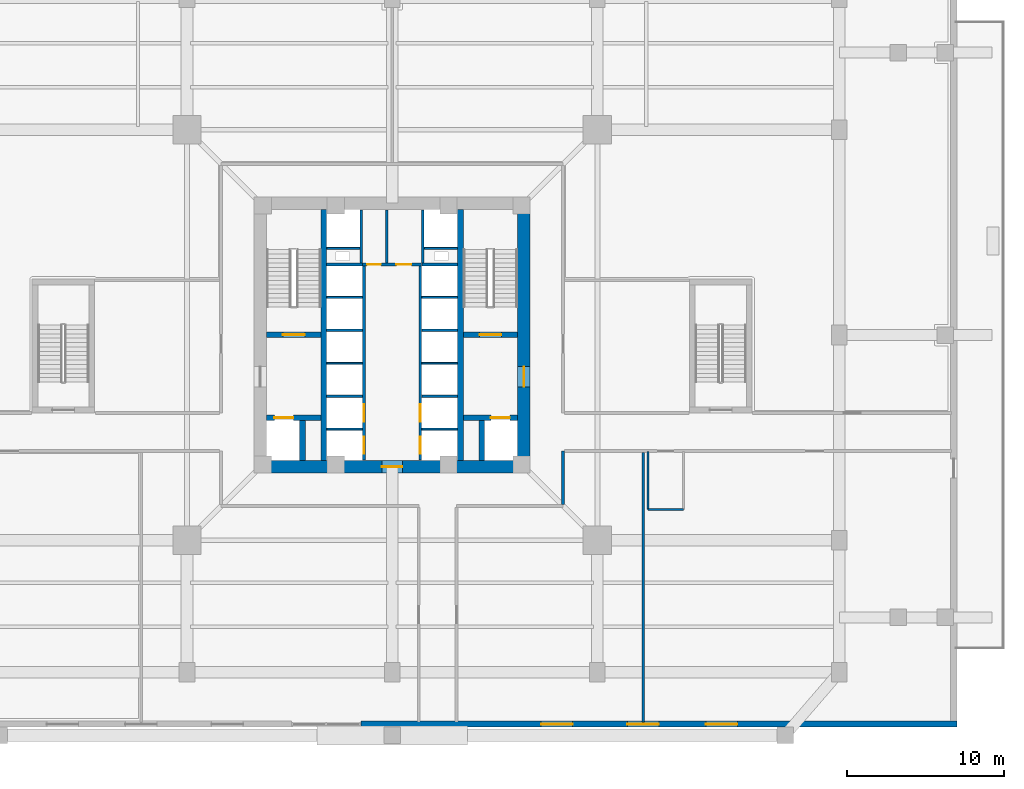
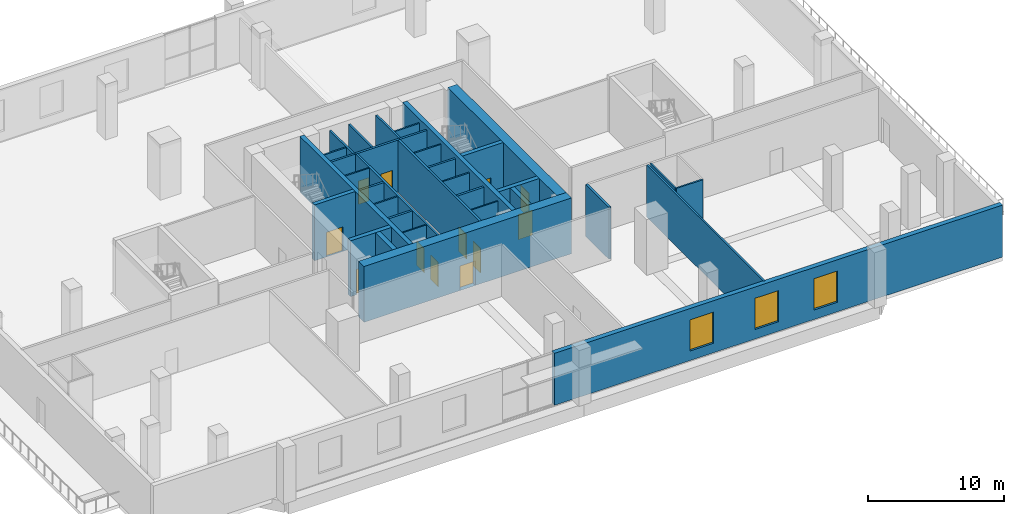
# One storey, part 7 of 15: 35 walls, 12 doors, 3 windows, 15 openings.
"""IFC4 building model written with IfcOpenShell, lengths in metres."""

from ifc_helpers import new_model, si_unit, direction, frame, frame_2d, origin, place, context, subcontext, project, spatial, rectangle, extrude, source, transform, mapped, material, layer, layer_set, type_object, element, fill, save


model = new_model("IFC4")

# Units and contexts
model_context = context("Model", 3, precision=1e-05, world=origin(), true_north=direction((0.0, 1.0)))
body_context = subcontext(model_context, "Body", "Model", "MODEL_VIEW")
ifc_project = project(units=[si_unit("LENGTHUNIT", "METRE"), si_unit("AREAUNIT", "SQUARE_METRE"), si_unit("VOLUMEUNIT", "CUBIC_METRE"), si_unit("PLANEANGLEUNIT", "RADIAN"), si_unit("MASSUNIT", "GRAM", prefix="KILO"), si_unit("THERMODYNAMICTEMPERATUREUNIT", "KELVIN")], contexts=[model_context])

# Site, building, storey
site_placement = place(None, origin())
site = spatial("IfcSite", under=ifc_project, at=site_placement, CompositionType="ELEMENT")
building_placement = place(site_placement, origin())
building = spatial("IfcBuilding", under=site, at=building_placement, Name="Kosmvard Interchange Tower", CompositionType="ELEMENT")
storey_placement = place(building_placement, frame((0.0, 0.0, 11.0)))
storey = spatial("IfcBuildingStorey", under=building, at=storey_placement, Name="L02", CompositionType="ELEMENT", Elevation=11.0)

# Walls
ifc_material_1 = material(Name="Acoustic gypsum partition system")
ifc_layer_1 = layer(ifc_material_1, 0.14990234375, Name="Acoustic gypsum partition system")
ifc_layer_set_1 = layer_set([ifc_layer_1], Name="Acoustic gypsum partition system")
wall_type_1 = type_object("IfcWallType", Name="Acoustic Suite & Meeting Partition 150", PredefinedType="PARTITIONING", material=ifc_layer_set_1)
wall_1_placement = place(storey_placement, frame((16.0, -24.6650390625, 0.0), z_axis=(0.0, 0.0, 1.0), x_axis=(0.0, 1.0, 0.0)))
element("IfcWall", 1, at=wall_1_placement, inside=storey, type_object=wall_type_1, Name="L02 Room Partition 05.1", PredefinedType="PARTITIONING", context=body_context, shape_type="SweptSolid", body=[
    extrude(rectangle(XDim=17.169921875, YDim=0.14990234375, at=frame_2d((8.5849609375, 0.0))), origin(), (0.0, 0.0, 1.0), 4.659912109375),
])
ifc_material_2 = material(Name="Fire-rated gypsum partition system")
ifc_layer_2 = layer(ifc_material_2, 0.159912109375, Name="Fire-rated gypsum partition system")
ifc_layer_set_2 = layer_set([ifc_layer_2], Name="Fire-rated gypsum partition system")
wall_type_2 = type_object("IfcWallType", Name="Core Compartment & Shuttle Lobby Partition 160", PredefinedType="PARTITIONING", material=ifc_layer_set_2)
for number, where, z_axis, x_axis, name in (
    (2, (-1.9599609375, 4.580078125, 0.0), (0.0, 0.0, 1.0), (0.0, 1.0, 0.0), "L02 North Core West Wall"),
    (3, (1.9599609375, 4.580078125, 0.0), (0.0, 0.0, 1.0), (0.0, 1.0, 0.0), "L02 North Core East Wall"),
):
    element("IfcWall", number, at=place(storey_placement, frame(where, z_axis=z_axis, x_axis=x_axis)), inside=storey, type_object=wall_type_2, Name=name, PredefinedType="PARTITIONING", context=body_context, shape_type="SweptSolid", body=[
        extrude(rectangle(XDim=3.39990234375, YDim=0.159912109375, at=frame_2d((1.699951171875, 0.0))), origin(), (0.0, 0.0, 1.0), 4.659912109375),
    ])
ifc_material_3 = material(Name="Concrete blockwork masonry", Category="masonry")
ifc_layer_3 = layer(ifc_material_3, 0.159912109375, Name="Concrete blockwork masonry")
ifc_layer_set_3 = layer_set([ifc_layer_3], Name="Concrete blockwork masonry")
wall_type_3 = type_object("IfcWallType", Name="Core Enclosure Split Wall 160", PredefinedType="PARTITIONING", material=ifc_layer_set_3)
wall_2_placement = place(storey_placement, frame((-0.35009765625, 4.60009765625, 0.0), z_axis=(0.0, 0.0, 1.0), x_axis=(0.0, 1.0, 0.0)))
element("IfcWall", 4, at=wall_2_placement, inside=storey, type_object=wall_type_3, Name="L02 Core K2 Split Wall", PredefinedType="PARTITIONING", context=body_context, shape_type="SweptSolid", body=[
    extrude(rectangle(XDim=3.3798828125, YDim=0.159912109375, at=frame_2d((1.68994140625, 0.0))), origin(), (0.0, 0.0, 1.0), 4.659912109375),
])

# Wall, openings, doors
ifc_layer_4 = layer(ifc_material_2, 0.179931640625, Name="Fire-rated gypsum partition system")
ifc_layer_set_4 = layer_set([ifc_layer_4], Name="Fire-rated gypsum partition system")
wall_type_4 = type_object("IfcWallType", Name="Corridor & Hotel Compartment Partition 180", PredefinedType="PARTITIONING", material=ifc_layer_set_4)
wall_3_placement = place(storey_placement, frame((-1.7900390625, -7.97998046875, 0.0), z_axis=(0.0, 0.0, 1.0), x_axis=(0.0, 1.0, 0.0)))
wall_3 = element("IfcWall", 5, at=wall_3_placement, inside=storey, type_object=wall_type_4, Name="L02 West Lift Bank Front Wall", PredefinedType="PARTITIONING", context=body_context, shape_type="SweptSolid", body=[
    extrude(rectangle(XDim=12.3798828125, YDim=0.179931640625, at=frame_2d((6.18994140625, 0.0))), origin(), (0.0, 0.0, 1.0), 4.659912109375),
])
opening_1_placement = place(wall_3_placement, frame((0.39990234375, 0.0, 0.0)))
opening_1 = element("IfcOpeningElement", 6, at=opening_1_placement, cuts=wall_3, Name="Opening LD-PL-L1-L02", PredefinedType="OPENING", context=body_context, shape_type="SweptSolid", body=[
    extrude(rectangle(XDim=1.10009765625, YDim=2.199951171875, at=frame_2d((0.550048828125, 1.10009765625))), frame((0.0, 0.10009765625, 0.0), z_axis=(0.0, -1.0, 0.0), x_axis=(1.0, 0.0, 0.0)), (0.0, 0.0, 1.0), 0.199951171875),
])
opening_2_placement = place(wall_3_placement, frame((2.4599609375, 0.0, 0.0)))
opening_2 = element("IfcOpeningElement", 7, at=opening_2_placement, cuts=wall_3, Name="Opening LD-PL-L2-L02", PredefinedType="OPENING", context=body_context, shape_type="SweptSolid", body=[
    extrude(rectangle(XDim=1.10009765625, YDim=2.199951171875, at=frame_2d((0.550048828125, 1.10009765625))), frame((0.0, 0.10009765625, 0.0), z_axis=(0.0, -1.0, 0.0), x_axis=(1.0, 0.0, 0.0)), (0.0, 0.0, 1.0), 0.199951171875),
])
ifc_material_4 = material(Name="Brushed stainless steel sliding leaf", Category="steel")
door_type_1 = type_object("IfcDoorType", Name="Passenger Lift Sliding Landing Door 1100x2200 EI60", OperationType="DOUBLE_DOOR_SLIDING", PredefinedType="DOOR", material=ifc_material_4)
shared_shape_1 = source(origin(), body_context, "Body", "SweptSolid", [
    extrude(rectangle(XDim=1.10009765625, YDim=2.199951171875, at=frame_2d((0.550048828125, 1.10009765625))), frame((0.0, 0.02490234375, 0.0), z_axis=(0.0, -1.0, 0.0), x_axis=(1.0, 0.0, 0.0)), (0.0, 0.0, 1.0), 0.050048828125),
])
door_1_placement = place(opening_1_placement, frame((1.10009765625, 0.0, 0.0), z_axis=(0.0, 0.0, 1.0), x_axis=(-1.0, 0.0, 0.0)))
door_1 = element("IfcDoor", 8, at=door_1_placement, inside=storey, type_object=door_type_1, Name="Lift PL-L1 Landing Door L02", OperationType="DOUBLE_DOOR_SLIDING", OverallHeight=2.199951171875, OverallWidth=1.10009765625, PredefinedType="DOOR", context=body_context, shape_type="MappedRepresentation", body=[
    mapped(shared_shape_1, transform((0.0, 0.0, 0.0), scale=1.0)),
])
fill(opening_1, door_1)
door_2_placement = place(opening_2_placement, frame((1.10009765625, 0.0, 0.0), z_axis=(0.0, 0.0, 1.0), x_axis=(-1.0, 0.0, 0.0)))
door_2 = element("IfcDoor", 9, at=door_2_placement, inside=storey, type_object=door_type_1, Name="Lift PL-L2 Landing Door L02", OperationType="DOUBLE_DOOR_SLIDING", OverallHeight=2.199951171875, OverallWidth=1.10009765625, PredefinedType="DOOR", context=body_context, shape_type="MappedRepresentation", body=[
    mapped(shared_shape_1, transform((0.0, 0.0, 0.0), scale=1.0)),
])
fill(opening_2, door_2)

wall_4_placement = place(storey_placement, frame((1.7900390625, -7.97998046875, 0.0), z_axis=(0.0, 0.0, 1.0), x_axis=(0.0, 1.0, 0.0)))
wall_4 = element("IfcWall", 10, at=wall_4_placement, inside=storey, type_object=wall_type_4, Name="L02 East Lift Bank Front Wall", PredefinedType="PARTITIONING", context=body_context, shape_type="SweptSolid", body=[
    extrude(rectangle(XDim=12.3798828125, YDim=0.179931640625, at=frame_2d((6.18994140625, 0.0))), origin(), (0.0, 0.0, 1.0), 4.659912109375),
])
opening_3_placement = place(wall_4_placement, frame((0.39990234375, 0.0, 0.0)))
opening_3 = element("IfcOpeningElement", 11, at=opening_3_placement, cuts=wall_4, Name="Opening LD-PL-L3-L02", PredefinedType="OPENING", context=body_context, shape_type="SweptSolid", body=[
    extrude(rectangle(XDim=1.10009765625, YDim=2.199951171875, at=frame_2d((0.550048828125, 1.10009765625))), frame((0.0, 0.10009765625, 0.0), z_axis=(0.0, -1.0, 0.0), x_axis=(1.0, 0.0, 0.0)), (0.0, 0.0, 1.0), 0.199951171875),
])
opening_4_placement = place(wall_4_placement, frame((2.4599609375, 0.0, 0.0)))
opening_4 = element("IfcOpeningElement", 12, at=opening_4_placement, cuts=wall_4, Name="Opening LD-PL-L4-L02", PredefinedType="OPENING", context=body_context, shape_type="SweptSolid", body=[
    extrude(rectangle(XDim=1.10009765625, YDim=2.199951171875, at=frame_2d((0.550048828125, 1.10009765625))), frame((0.0, 0.10009765625, 0.0), z_axis=(0.0, -1.0, 0.0), x_axis=(1.0, 0.0, 0.0)), (0.0, 0.0, 1.0), 0.199951171875),
])
door_3_placement = place(opening_3_placement, origin())
door_3 = element("IfcDoor", 13, at=door_3_placement, inside=storey, type_object=door_type_1, Name="Lift PL-L3 Landing Door L02", OperationType="DOUBLE_DOOR_SLIDING", OverallHeight=2.199951171875, OverallWidth=1.10009765625, PredefinedType="DOOR", context=body_context, shape_type="MappedRepresentation", body=[
    mapped(shared_shape_1, transform((0.0, 0.0, 0.0), scale=1.0)),
])
fill(opening_3, door_3)
door_4_placement = place(opening_4_placement, origin())
door_4 = element("IfcDoor", 14, at=door_4_placement, inside=storey, type_object=door_type_1, Name="Lift PL-L4 Landing Door L02", OperationType="DOUBLE_DOOR_SLIDING", OverallHeight=2.199951171875, OverallWidth=1.10009765625, PredefinedType="DOOR", context=body_context, shape_type="MappedRepresentation", body=[
    mapped(shared_shape_1, transform((0.0, 0.0, 0.0), scale=1.0)),
])
fill(opening_4, door_4)

wall_5_placement = place(storey_placement, frame((-1.8798828125, 4.489990234375, 0.0), z_axis=(0.0, 0.0, 1.0), x_axis=(1.0, 0.0, 0.0)))
wall_5 = element("IfcWall", 15, at=wall_5_placement, inside=storey, type_object=wall_type_4, Name="L02 Lift Lobby North Partition", PredefinedType="PARTITIONING", context=body_context, shape_type="SweptSolid", body=[
    extrude(rectangle(XDim=3.759765625, YDim=0.179931640625, at=frame_2d((1.8798828125, 0.0))), origin(), (0.0, 0.0, 1.0), 4.659912109375),
])
opening_5_placement = place(wall_5_placement, frame((0.280029296875, 0.0, 0.0)))
opening_5 = element("IfcOpeningElement", 16, at=opening_5_placement, cuts=wall_5, Name="Opening L02-KD1", PredefinedType="OPENING", context=body_context, shape_type="SweptSolid", body=[
    extrude(rectangle(XDim=0.8798828125, YDim=2.10009765625, at=frame_2d((0.43994140625, 1.050048828125))), frame((0.0, 0.10009765625, 0.0), z_axis=(0.0, -1.0, 0.0), x_axis=(1.0, 0.0, 0.0)), (0.0, 0.0, 1.0), 0.199951171875),
])
opening_6_placement = place(wall_5_placement, frame((2.14990234375, 0.0, 0.0)))
opening_6 = element("IfcOpeningElement", 17, at=opening_6_placement, cuts=wall_5, Name="Opening L02-KD2", PredefinedType="OPENING", context=body_context, shape_type="SweptSolid", body=[
    extrude(rectangle(XDim=0.949951171875, YDim=2.10009765625, at=frame_2d((0.47509765625, 1.050048828125))), frame((0.0, 0.10009765625, 0.0), z_axis=(0.0, -1.0, 0.0), x_axis=(1.0, 0.0, 0.0)), (0.0, 0.0, 1.0), 0.199951171875),
])
ifc_material_5 = material(Name="Painted fire-rated timber leaf", Category="wood")
door_type_2 = type_object("IfcDoorType", Name="Core Service Fire Door 950x2100 EI30", OperationType="NOTDEFINED", PredefinedType="DOOR", material=ifc_material_5)
shared_shape_2 = source(origin(), body_context, "Body", "SweptSolid", [
    extrude(rectangle(XDim=0.949951171875, YDim=2.10009765625, at=frame_2d((0.47509765625, 1.050048828125))), frame((0.0, 0.02490234375, 0.0), z_axis=(0.0, -1.0, 0.0), x_axis=(1.0, 0.0, 0.0)), (0.0, 0.0, 1.0), 0.050048828125),
])
door_5_placement = place(opening_6_placement, origin())
door_5 = element("IfcDoor", 18, at=door_5_placement, inside=storey, type_object=door_type_2, Name="L02 Core Tea Pantry Door", OperationType="SINGLE_SWING_RIGHT", OverallHeight=2.10009765625, OverallWidth=0.949951171875, PredefinedType="DOOR", context=body_context, shape_type="MappedRepresentation", body=[
    mapped(shared_shape_2, transform((0.0, 0.0, 0.0), scale=1.0)),
])
fill(opening_6, door_5)
door_type_3 = type_object("IfcDoorType", Name="Core Cupboard Fire Door 880x2100 EI30", OperationType="NOTDEFINED", PredefinedType="DOOR", material=ifc_material_5)
shared_shape_3 = source(origin(), body_context, "Body", "SweptSolid", [
    extrude(rectangle(XDim=0.8798828125, YDim=2.10009765625, at=frame_2d((0.43994140625, 1.050048828125))), frame((0.0, 0.02490234375, 0.0), z_axis=(0.0, -1.0, 0.0), x_axis=(1.0, 0.0, 0.0)), (0.0, 0.0, 1.0), 0.050048828125),
])
door_6_placement = place(opening_5_placement, origin())
door_6 = element("IfcDoor", 19, at=door_6_placement, inside=storey, type_object=door_type_3, Name="L02 Core Cleaner Cupboard Door", OperationType="SINGLE_SWING_LEFT", OverallHeight=2.10009765625, OverallWidth=0.8798828125, PredefinedType="DOOR", context=body_context, shape_type="MappedRepresentation", body=[
    mapped(shared_shape_3, transform((0.0, 0.0, 0.0), scale=1.0)),
])
fill(opening_5, door_6)

# Wall
wall_6_placement = place(storey_placement, frame((10.89990234375, -10.800048828125, 0.0), z_axis=(0.0, 0.0, 1.0), x_axis=(0.0, 1.0, 0.0)))
element("IfcWall", 20, at=wall_6_placement, inside=storey, type_object=wall_type_4, Name="L02 Corridor Wall CES", PredefinedType="PARTITIONING", context=body_context, shape_type="SweptSolid", body=[
    extrude(rectangle(XDim=3.400146484375, YDim=0.179931640625, at=frame_2d((1.7001953125, 0.0))), origin(), (0.0, 0.0, 1.0), 4.659912109375),
])

# Wall, opening, door
ifc_material_6 = material(Name="Concrete C80/95", Category="concrete")
ifc_layer_5 = layer(ifc_material_6, 0.800048828125, Name="Concrete C80/95")
ifc_layer_set_5 = layer_set([ifc_layer_5], Name="Concrete C80/95")
wall_type_5 = type_object("IfcWallType", Name="Lower Core Shear Wall 800 C80/95", PredefinedType="SHEAR", material=ifc_layer_set_5)
wall_7_placement = place(storey_placement, frame((-8.800048828125, -8.39990234375, 0.0), z_axis=(0.0, 0.0, 1.0), x_axis=(1.0, 0.0, 0.0)))
wall_7 = element("IfcWall", 21, at=wall_7_placement, inside=storey, type_object=wall_type_5, Name="L02 Core Shear Wall CW-S", PredefinedType="SHEAR", context=body_context, shape_type="SweptSolid", body=[
    extrude(rectangle(XDim=17.60009765625, YDim=0.800048828125, at=frame_2d((8.800048828125, 0.0))), origin(), (0.0, 0.0, 1.0), 5.0),
])
opening_7_placement = place(wall_7_placement, frame((8.14990234375, 0.0, 0.0)))
opening_7 = element("IfcOpeningElement", 22, at=opening_7_placement, cuts=wall_7, Name="Opening L02-LD0", PredefinedType="OPENING", context=body_context, shape_type="SweptSolid", body=[
    extrude(rectangle(XDim=1.300048828125, YDim=2.199951171875, at=frame_2d((0.64990234375, 1.10009765625))), frame((0.0, 0.41015625, 0.0), z_axis=(0.0, -1.0, 0.0), x_axis=(1.0, 0.0, 0.0)), (0.0, 0.0, 1.0), 0.820068359375),
])
ifc_material_7 = material(Name="Painted fire-rated steel leaf", Category="steel")
door_type_4 = type_object("IfcDoorType", Name="Firefighting Lobby Door 1300x2200 EI60", OperationType="NOTDEFINED", PredefinedType="DOOR", material=ifc_material_7)
shared_shape_4 = source(origin(), body_context, "Body", "SweptSolid", [
    extrude(rectangle(XDim=1.300048828125, YDim=2.199951171875, at=frame_2d((0.64990234375, 1.10009765625))), frame((0.0, 0.02490234375, 0.0), z_axis=(0.0, -1.0, 0.0), x_axis=(1.0, 0.0, 0.0)), (0.0, 0.0, 1.0), 0.050048828125),
])
door_7_placement = place(opening_7_placement, frame((1.300048828125, 0.0, 0.0), z_axis=(0.0, 0.0, 1.0), x_axis=(-1.0, 0.0, 0.0)))
door_7 = element("IfcDoor", 23, at=door_7_placement, inside=storey, type_object=door_type_4, Name="L02 Passenger Lift Lobby South Door", OperationType="SINGLE_SWING_LEFT", OverallHeight=2.199951171875, OverallWidth=1.300048828125, PredefinedType="DOOR", context=body_context, shape_type="MappedRepresentation", body=[
    mapped(shared_shape_4, transform((0.0, 0.0, 0.0), scale=1.0)),
])
fill(opening_7, door_7)

wall_8_placement = place(storey_placement, frame((8.39990234375, -8.0, 0.0), z_axis=(0.0, 0.0, 1.0), x_axis=(0.0, 1.0, 0.0)))
wall_8 = element("IfcWall", 24, at=wall_8_placement, inside=storey, type_object=wall_type_5, Name="L02 Core Shear Wall CW-E", PredefinedType="SHEAR", context=body_context, shape_type="SweptSolid", body=[
    extrude(rectangle(XDim=16.0, YDim=0.800048828125, at=frame_2d((8.0, 0.0))), origin(), (0.0, 0.0, 1.0), 5.0),
])
opening_8_placement = place(wall_8_placement, frame((4.68994140625, 0.0, 0.0)))
opening_8 = element("IfcOpeningElement", 25, at=opening_8_placement, cuts=wall_8, Name="Opening L02-FD2", PredefinedType="OPENING", context=body_context, shape_type="SweptSolid", body=[
    extrude(rectangle(XDim=1.300048828125, YDim=2.199951171875, at=frame_2d((0.64990234375, 1.10009765625))), frame((0.0, 0.41015625, 0.0), z_axis=(0.0, -1.0, 0.0), x_axis=(1.0, 0.0, 0.0)), (0.0, 0.0, 1.0), 0.820068359375),
])
door_8_placement = place(opening_8_placement, origin())
door_8 = element("IfcDoor", 26, at=door_8_placement, inside=storey, type_object=door_type_4, Name="L02 Firefighting Lobby East Door", OperationType="SINGLE_SWING_RIGHT", OverallHeight=2.199951171875, OverallWidth=1.300048828125, PredefinedType="DOOR", context=body_context, shape_type="MappedRepresentation", body=[
    mapped(shared_shape_4, transform((0.0, 0.0, 0.0), scale=1.0)),
])
fill(opening_8, door_8)

# Wall, openings, windows
ifc_material_8 = material(Name="Precast concrete C45/55", Category="concrete")
ifc_layer_6 = layer(ifc_material_8, 0.39990234375, Name="Precast concrete C45/55")
ifc_layer_set_6 = layer_set([ifc_layer_6], Name="Precast concrete C45/55")
wall_type_6 = type_object("IfcWallType", Name="Podium Precast Stone Pier Wall 400 C45/55", PredefinedType="STANDARD", material=ifc_layer_set_6)
wall_9_placement = place(storey_placement, frame((-2.0, -24.800048828125, 0.0), z_axis=(0.0, 0.0, 1.0), x_axis=(1.0, 0.0, 0.0)))
wall_9 = element("IfcWall", 27, at=wall_9_placement, inside=storey, type_object=wall_type_6, Name="L02 Podium Precast Wall EW-S2", PredefinedType="STANDARD", context=body_context, shape_type="SweptSolid", body=[
    extrude(rectangle(XDim=38.0, YDim=0.39990234375, at=frame_2d((19.0, 0.0))), origin(), (0.0, 0.0, 1.0), 4.659912109375),
])
opening_9_placement = place(wall_9_placement, frame((11.5, 0.0, 0.85009765625)))
opening_9 = element("IfcOpeningElement", 28, at=opening_9_placement, cuts=wall_9, Name="Opening L02-W4", PredefinedType="OPENING", context=body_context, shape_type="SweptSolid", body=[
    extrude(rectangle(XDim=2.0, YDim=2.800048828125, at=frame_2d((1.0, 1.39990234375))), frame((0.0, 0.2099609375, 0.0), z_axis=(0.0, -1.0, 0.0), x_axis=(1.0, 0.0, 0.0)), (0.0, 0.0, 1.0), 0.419921875),
])
opening_10_placement = place(wall_9_placement, frame((17.0, 0.0, 0.85009765625)))
opening_10 = element("IfcOpeningElement", 29, at=opening_10_placement, cuts=wall_9, Name="Opening L02-W5", PredefinedType="OPENING", context=body_context, shape_type="SweptSolid", body=[
    extrude(rectangle(XDim=2.0, YDim=2.800048828125, at=frame_2d((1.0, 1.39990234375))), frame((0.0, 0.2099609375, 0.0), z_axis=(0.0, -1.0, 0.0), x_axis=(1.0, 0.0, 0.0)), (0.0, 0.0, 1.0), 0.419921875),
])
opening_11_placement = place(wall_9_placement, frame((22.0, 0.0, 0.85009765625)))
opening_11 = element("IfcOpeningElement", 30, at=opening_11_placement, cuts=wall_9, Name="Opening L02-W6", PredefinedType="OPENING", context=body_context, shape_type="SweptSolid", body=[
    extrude(rectangle(XDim=2.0, YDim=2.800048828125, at=frame_2d((1.0, 1.39990234375))), frame((0.0, 0.2099609375, 0.0), z_axis=(0.0, -1.0, 0.0), x_axis=(1.0, 0.0, 0.0)), (0.0, 0.0, 1.0), 0.419921875),
])
ifc_material_9 = material(Name="Low-E solar-control double glazing", Category="glass")
window_type = type_object("IfcWindowType", Name="Podium Lounge Punched Window 2000x2800", PartitioningType="SINGLE_PANEL", PredefinedType="WINDOW", material=ifc_material_9)
shared_shape_5 = source(origin(), body_context, "Body", "SweptSolid", [
    extrude(rectangle(XDim=2.0, YDim=2.800048828125, at=frame_2d((1.0, 1.39990234375))), frame((0.0, 0.030029296875, 0.0), z_axis=(0.0, -1.0, 0.0), x_axis=(1.0, 0.0, 0.0)), (0.0, 0.0, 1.0), 0.06005859375),
])
window_1_placement = place(opening_9_placement, origin())
window_1 = element("IfcWindow", 31, at=window_1_placement, inside=storey, type_object=window_type, Name="L02 Podium Window 4", OverallHeight=2.800048828125, OverallWidth=2.0, PartitioningType="SINGLE_PANEL", PredefinedType="WINDOW", context=body_context, shape_type="MappedRepresentation", body=[
    mapped(shared_shape_5, transform((0.0, 0.0, 0.0), scale=1.0)),
])
fill(opening_9, window_1)
window_2_placement = place(opening_10_placement, origin())
window_2 = element("IfcWindow", 32, at=window_2_placement, inside=storey, type_object=window_type, Name="L02 Podium Window 5", OverallHeight=2.800048828125, OverallWidth=2.0, PartitioningType="SINGLE_PANEL", PredefinedType="WINDOW", context=body_context, shape_type="MappedRepresentation", body=[
    mapped(shared_shape_5, transform((0.0, 0.0, 0.0), scale=1.0)),
])
fill(opening_10, window_2)
window_3_placement = place(opening_11_placement, origin())
window_3 = element("IfcWindow", 33, at=window_3_placement, inside=storey, type_object=window_type, Name="L02 Podium Window 6", OverallHeight=2.800048828125, OverallWidth=2.0, PartitioningType="SINGLE_PANEL", PredefinedType="WINDOW", context=body_context, shape_type="MappedRepresentation", body=[
    mapped(shared_shape_5, transform((0.0, 0.0, 0.0), scale=1.0)),
])
fill(opening_11, window_3)

# Walls
ifc_layer_7 = layer(ifc_material_3, 0.179931640625, Name="Concrete blockwork masonry")
ifc_layer_set_7 = layer_set([ifc_layer_7], Name="Concrete blockwork masonry")
wall_type_7 = type_object("IfcWallType", Name="Riser & Lift Bank Divider Wall 180", PredefinedType="PARTITIONING", material=ifc_layer_set_7)
for number, where, z_axis, x_axis, name in (
    (34, (-4.169921875, -3.89990234375, 0.0), (0.0, 0.0, 1.0), (1.0, 0.0, 0.0), "L02 West Bank Divider BD1"),
    (35, (1.889892578125, -3.89990234375, 0.0), (0.0, 0.0, 1.0), (1.0, 0.0, 0.0), "L02 East Bank Divider BD1"),
    (36, (-4.169921875, 0.300048828125, 0.0), (0.0, 0.0, 1.0), (1.0, 0.0, 0.0), "L02 West Bank Divider BD2"),
    (37, (1.889892578125, 0.300048828125, 0.0), (0.0, 0.0, 1.0), (1.0, 0.0, 0.0), "L02 East Bank Divider BD2"),
    (38, (-4.169921875, 4.489990234375, 0.0), (0.0, 0.0, 1.0), (1.0, 0.0, 0.0), "L02 West Bank Divider BD3"),
    (39, (1.889892578125, 4.489990234375, 0.0), (0.0, 0.0, 1.0), (1.0, 0.0, 0.0), "L02 East Bank Divider BD3"),
):
    element("IfcWall", number, at=place(storey_placement, frame(where, z_axis=z_axis, x_axis=x_axis)), inside=storey, type_object=wall_type_7, Name=name, PredefinedType="PARTITIONING", context=body_context, shape_type="SweptSolid", body=[
        extrude(rectangle(XDim=2.280029296875, YDim=0.179931640625, at=frame_2d((1.14013671875, 0.0))), origin(), (0.0, 0.0, 1.0), 4.659912109375),
    ])
ifc_material_10 = material(Name="Fire-rated gypsum shaftwall system")
ifc_layer_8 = layer(ifc_material_10, 0.1201171875, Name="Fire-rated gypsum shaftwall system")
ifc_layer_set_8 = layer_set([ifc_layer_8], Name="Fire-rated gypsum shaftwall system")
wall_type_8 = type_object("IfcWallType", Name="Shaft & Riser Fire Partition 120 EI60", PredefinedType="PARTITIONING", material=ifc_layer_set_8)
for number, where, z_axis, x_axis, name in (
    (40, (-4.159912109375, -6.0, 0.0), (0.0, 0.0, 1.0), (1.0, 0.0, 0.0), "L02 Shaft Divider PL-L1"),
    (41, (1.89990234375, -6.0, 0.0), (0.0, 0.0, 1.0), (1.0, 0.0, 0.0), "L02 Shaft Divider PL-L3"),
    (42, (-4.159912109375, -1.800048828125, 0.0), (0.0, 0.0, 1.0), (1.0, 0.0, 0.0), "L02 Shaft Divider PL-M1"),
    (43, (1.89990234375, -1.800048828125, 0.0), (0.0, 0.0, 1.0), (1.0, 0.0, 0.0), "L02 Shaft Divider PL-M3"),
    (44, (-4.159912109375, 2.39990234375, 0.0), (0.0, 0.0, 1.0), (1.0, 0.0, 0.0), "L02 Shaft Divider PL-H1"),
    (45, (1.89990234375, 2.39990234375, 0.0), (0.0, 0.0, 1.0), (1.0, 0.0, 0.0), "L02 Shaft Divider PL-H3"),
):
    element("IfcWall", number, at=place(storey_placement, frame(where, z_axis=z_axis, x_axis=x_axis)), inside=storey, type_object=wall_type_8, Name=name, PredefinedType="PARTITIONING", context=body_context, shape_type="SweptSolid", body=[
        extrude(rectangle(XDim=2.260009765625, YDim=0.1201171875, at=frame_2d((1.1298828125, 0.0))), origin(), (0.0, 0.0, 1.0), 4.659912109375),
    ])
for number, where, z_axis, x_axis, name in (
    (46, (-4.159912109375, 5.52001953125, 0.0), (0.0, 0.0, 1.0), (1.0, 0.0, 0.0), "L02 Riser Shaft Divider W"),
    (47, (2.06005859375, 5.52001953125, 0.0), (0.0, 0.0, 1.0), (1.0, 0.0, 0.0), "L02 Riser Shaft Divider E"),
):
    element("IfcWall", number, at=place(storey_placement, frame(where, z_axis=z_axis, x_axis=x_axis)), inside=storey, type_object=wall_type_8, Name=name, PredefinedType="PARTITIONING", context=body_context, shape_type="SweptSolid", body=[
        extrude(rectangle(XDim=2.099853515625, YDim=0.1201171875, at=frame_2d((1.0498046875, 0.0))), origin(), (0.0, 0.0, 1.0), 4.659912109375),
    ])
ifc_material_11 = material(Name="Concrete C60/75", Category="concrete")
ifc_layer_9 = layer(ifc_material_11, 0.360107421875, Name="Concrete C60/75")
ifc_layer_set_9 = layer_set([ifc_layer_9], Name="Concrete C60/75")
wall_type_9 = type_object("IfcWallType", Name="Stair & Lift Shaft Shear Wall 360 C60/75", PredefinedType="SHEAR", material=ifc_layer_set_9)
for number, where, z_axis, x_axis, name in (
    (48, (-4.360107421875, -8.0, 0.0), (0.0, 0.0, 1.0), (0.0, 1.0, 0.0), "L02 Shaft Shear Wall SW-W"),
    (49, (4.360107421875, -8.0, 0.0), (0.0, 0.0, 1.0), (0.0, 1.0, 0.0), "L02 Shaft Shear Wall SW-E"),
):
    element("IfcWall", number, at=place(storey_placement, frame(where, z_axis=z_axis, x_axis=x_axis)), inside=storey, type_object=wall_type_9, Name=name, PredefinedType="SHEAR", context=body_context, shape_type="SweptSolid", body=[
        extrude(rectangle(XDim=16.0, YDim=0.360107421875, at=frame_2d((8.0, 0.0))), origin(), (0.0, 0.0, 1.0), 5.0),
    ])

# Wall, opening, door
wall_10_placement = place(storey_placement, frame((-8.0, 0.02001953125, 0.0), z_axis=(0.0, 0.0, 1.0), x_axis=(1.0, 0.0, 0.0)))
wall_10 = element("IfcWall", 50, at=wall_10_placement, inside=storey, type_object=wall_type_9, Name="L02 Shaft Shear Wall SW-ST1", PredefinedType="SHEAR", context=body_context, shape_type="SweptSolid", body=[
    extrude(rectangle(XDim=3.4599609375, YDim=0.360107421875, at=frame_2d((1.72998046875, 0.0))), origin(), (0.0, 0.0, 1.0), 5.0),
])
opening_12_placement = place(wall_10_placement, frame((1.030029296875, 0.0, 0.0)))
opening_12 = element("IfcOpeningElement", 51, at=opening_12_placement, cuts=wall_10, Name="Opening L02-SD1", PredefinedType="OPENING", context=body_context, shape_type="SweptSolid", body=[
    extrude(rectangle(XDim=1.39990234375, YDim=2.199951171875, at=frame_2d((0.699951171875, 1.10009765625))), frame((0.0, 0.18994140625, 0.0), z_axis=(0.0, -1.0, 0.0), x_axis=(1.0, 0.0, 0.0)), (0.0, 0.0, 1.0), 0.380126953125),
])
door_type_5 = type_object("IfcDoorType", Name="Protected Stair Door 1400x2200 FD60S", OperationType="NOTDEFINED", PredefinedType="DOOR", material=ifc_material_7)
shared_shape_6 = source(origin(), body_context, "Body", "SweptSolid", [
    extrude(rectangle(XDim=1.39990234375, YDim=2.199951171875, at=frame_2d((0.699951171875, 1.10009765625))), frame((0.0, 0.02490234375, 0.0), z_axis=(0.0, -1.0, 0.0), x_axis=(1.0, 0.0, 0.0)), (0.0, 0.0, 1.0), 0.050048828125),
])
door_9_placement = place(opening_12_placement, origin())
door_9 = element("IfcDoor", 52, at=door_9_placement, inside=storey, type_object=door_type_5, Name="L02 Stair ST-1 Enclosure Door", OperationType="SINGLE_SWING_LEFT", OverallHeight=2.199951171875, OverallWidth=1.39990234375, PredefinedType="DOOR", context=body_context, shape_type="MappedRepresentation", body=[
    mapped(shared_shape_6, transform((0.0, 0.0, 0.0), scale=1.0)),
])
fill(opening_12, door_9)

wall_11_placement = place(storey_placement, frame((4.5400390625, 0.02001953125, 0.0), z_axis=(0.0, 0.0, 1.0), x_axis=(1.0, 0.0, 0.0)))
wall_11 = element("IfcWall", 53, at=wall_11_placement, inside=storey, type_object=wall_type_9, Name="L02 Shaft Shear Wall SW-ST2", PredefinedType="SHEAR", context=body_context, shape_type="SweptSolid", body=[
    extrude(rectangle(XDim=3.4599609375, YDim=0.360107421875, at=frame_2d((1.72998046875, 0.0))), origin(), (0.0, 0.0, 1.0), 5.0),
])
opening_13_placement = place(wall_11_placement, frame((1.030029296875, 0.0, 0.0)))
opening_13 = element("IfcOpeningElement", 54, at=opening_13_placement, cuts=wall_11, Name="Opening L02-SD2", PredefinedType="OPENING", context=body_context, shape_type="SweptSolid", body=[
    extrude(rectangle(XDim=1.39990234375, YDim=2.199951171875, at=frame_2d((0.699951171875, 1.10009765625))), frame((0.0, 0.18994140625, 0.0), z_axis=(0.0, -1.0, 0.0), x_axis=(1.0, 0.0, 0.0)), (0.0, 0.0, 1.0), 0.380126953125),
])
door_10_placement = place(opening_13_placement, origin())
door_10 = element("IfcDoor", 55, at=door_10_placement, inside=storey, type_object=door_type_5, Name="L02 Stair ST-2 Enclosure Door", OperationType="SINGLE_SWING_RIGHT", OverallHeight=2.199951171875, OverallWidth=1.39990234375, PredefinedType="DOOR", context=body_context, shape_type="MappedRepresentation", body=[
    mapped(shared_shape_6, transform((0.0, 0.0, 0.0), scale=1.0)),
])
fill(opening_13, door_10)

wall_12_placement = place(storey_placement, frame((-8.0, -5.280029296875, 0.0), z_axis=(0.0, 0.0, 1.0), x_axis=(1.0, 0.0, 0.0)))
wall_12 = element("IfcWall", 56, at=wall_12_placement, inside=storey, type_object=wall_type_9, Name="L02 Shaft Shear Wall SW-FF1", PredefinedType="SHEAR", context=body_context, shape_type="SweptSolid", body=[
    extrude(rectangle(XDim=3.4599609375, YDim=0.360107421875, at=frame_2d((1.72998046875, 0.0))), origin(), (0.0, 0.0, 1.0), 5.0),
])
opening_14_placement = place(wall_12_placement, frame((0.5, 0.0, 0.0)))
opening_14 = element("IfcOpeningElement", 57, at=opening_14_placement, cuts=wall_12, Name="Opening LD-FF-1-L02", PredefinedType="OPENING", context=body_context, shape_type="SweptSolid", body=[
    extrude(rectangle(XDim=1.199951171875, YDim=2.25, at=frame_2d((0.60009765625, 1.125))), frame((0.0, 0.18994140625, 0.0), z_axis=(0.0, -1.0, 0.0), x_axis=(1.0, 0.0, 0.0)), (0.0, 0.0, 1.0), 0.380126953125),
])
door_type_6 = type_object("IfcDoorType", Name="Firefighting Lift Sliding Landing Door 1200x2250 EI120", OperationType="DOUBLE_DOOR_SLIDING", PredefinedType="DOOR", material=ifc_material_4)
shared_shape_7 = source(origin(), body_context, "Body", "SweptSolid", [
    extrude(rectangle(XDim=1.199951171875, YDim=2.25, at=frame_2d((0.60009765625, 1.125))), frame((0.0, 0.02490234375, 0.0), z_axis=(0.0, -1.0, 0.0), x_axis=(1.0, 0.0, 0.0)), (0.0, 0.0, 1.0), 0.050048828125),
])
door_11_placement = place(opening_14_placement, origin())
door_11 = element("IfcDoor", 58, at=door_11_placement, inside=storey, type_object=door_type_6, Name="Lift FF-1 Landing Door L02", OperationType="DOUBLE_DOOR_SLIDING", OverallHeight=2.25, OverallWidth=1.199951171875, PredefinedType="DOOR", context=body_context, shape_type="MappedRepresentation", body=[
    mapped(shared_shape_7, transform((0.0, 0.0, 0.0), scale=1.0)),
])
fill(opening_14, door_11)

wall_13_placement = place(storey_placement, frame((4.5400390625, -5.280029296875, 0.0), z_axis=(0.0, 0.0, 1.0), x_axis=(1.0, 0.0, 0.0)))
wall_13 = element("IfcWall", 59, at=wall_13_placement, inside=storey, type_object=wall_type_9, Name="L02 Shaft Shear Wall SW-FF2", PredefinedType="SHEAR", context=body_context, shape_type="SweptSolid", body=[
    extrude(rectangle(XDim=3.4599609375, YDim=0.360107421875, at=frame_2d((1.72998046875, 0.0))), origin(), (0.0, 0.0, 1.0), 5.0),
])
opening_15_placement = place(wall_13_placement, frame((1.760009765625, 0.0, 0.0)))
opening_15 = element("IfcOpeningElement", 60, at=opening_15_placement, cuts=wall_13, Name="Opening LD-FF-2-L02", PredefinedType="OPENING", context=body_context, shape_type="SweptSolid", body=[
    extrude(rectangle(XDim=1.199951171875, YDim=2.25, at=frame_2d((0.60009765625, 1.125))), frame((0.0, 0.18994140625, 0.0), z_axis=(0.0, -1.0, 0.0), x_axis=(1.0, 0.0, 0.0)), (0.0, 0.0, 1.0), 0.380126953125),
])
door_12_placement = place(opening_15_placement, origin())
door_12 = element("IfcDoor", 61, at=door_12_placement, inside=storey, type_object=door_type_6, Name="Lift FF-2 Landing Door L02", OperationType="DOUBLE_DOOR_SLIDING", OverallHeight=2.25, OverallWidth=1.199951171875, PredefinedType="DOOR", context=body_context, shape_type="MappedRepresentation", body=[
    mapped(shared_shape_7, transform((0.0, 0.0, 0.0), scale=1.0)),
])
fill(opening_15, door_12)

# Walls
for number, where, z_axis, x_axis, name in (
    (62, (-5.7099609375, -8.0, 0.0), (0.0, 0.0, 1.0), (0.0, 1.0, 0.0), "L02 Shaft Shear Wall SW-SM1"),
    (63, (5.7099609375, -8.0, 0.0), (0.0, 0.0, 1.0), (0.0, 1.0, 0.0), "L02 Shaft Shear Wall SW-SM2"),
):
    element("IfcWall", number, at=place(storey_placement, frame(where, z_axis=z_axis, x_axis=x_axis)), inside=storey, type_object=wall_type_9, Name=name, PredefinedType="SHEAR", context=body_context, shape_type="SweptSolid", body=[
        extrude(rectangle(XDim=2.5400390625, YDim=0.360107421875, at=frame_2d((1.27001953125, 0.0))), origin(), (0.0, 0.0, 1.0), 5.0),
    ])
ifc_material_12 = material(Name="Moisture-resistant gypsum partition")
ifc_layer_10 = layer(ifc_material_12, 0.135009765625, Name="Moisture-resistant gypsum partition")
ifc_layer_set_10 = layer_set([ifc_layer_10], Name="Moisture-resistant gypsum partition")
wall_type_10 = type_object("IfcWallType", Name="Wet Room Moisture-Resistant Partition 135", PredefinedType="PARTITIONING", material=ifc_layer_set_10)
wall_14_placement = place(storey_placement, frame((16.31103515625, -11.1201171875, 0.0), z_axis=(0.0, 0.0, 1.0), x_axis=(1.0, 0.0, 0.0)))
element("IfcWall", 64, at=wall_14_placement, inside=storey, type_object=wall_type_10, Name="L02 Washroom Partition WC1-S", PredefinedType="PARTITIONING", context=body_context, shape_type="SweptSolid", body=[
    extrude(rectangle(XDim=2.25, YDim=0.135009765625, at=frame_2d((1.125, 0.0))), origin(), (0.0, 0.0, 1.0), 4.659912109375),
])
wall_15_placement = place(storey_placement, frame((16.31103515625, -11.1201171875, 0.0), z_axis=(0.0, 0.0, 1.0), x_axis=(0.0, 1.0, 0.0)))
element("IfcWall", 65, at=wall_15_placement, inside=storey, type_object=wall_type_10, Name="L02 Washroom Partition WC1-W", PredefinedType="PARTITIONING", context=body_context, shape_type="SweptSolid", body=[
    extrude(rectangle(XDim=3.7001953125, YDim=0.135009765625, at=frame_2d((1.85009765625, 0.0))), origin(), (0.0, 0.0, 1.0), 4.659912109375),
])

save(model, "model.ifc")
